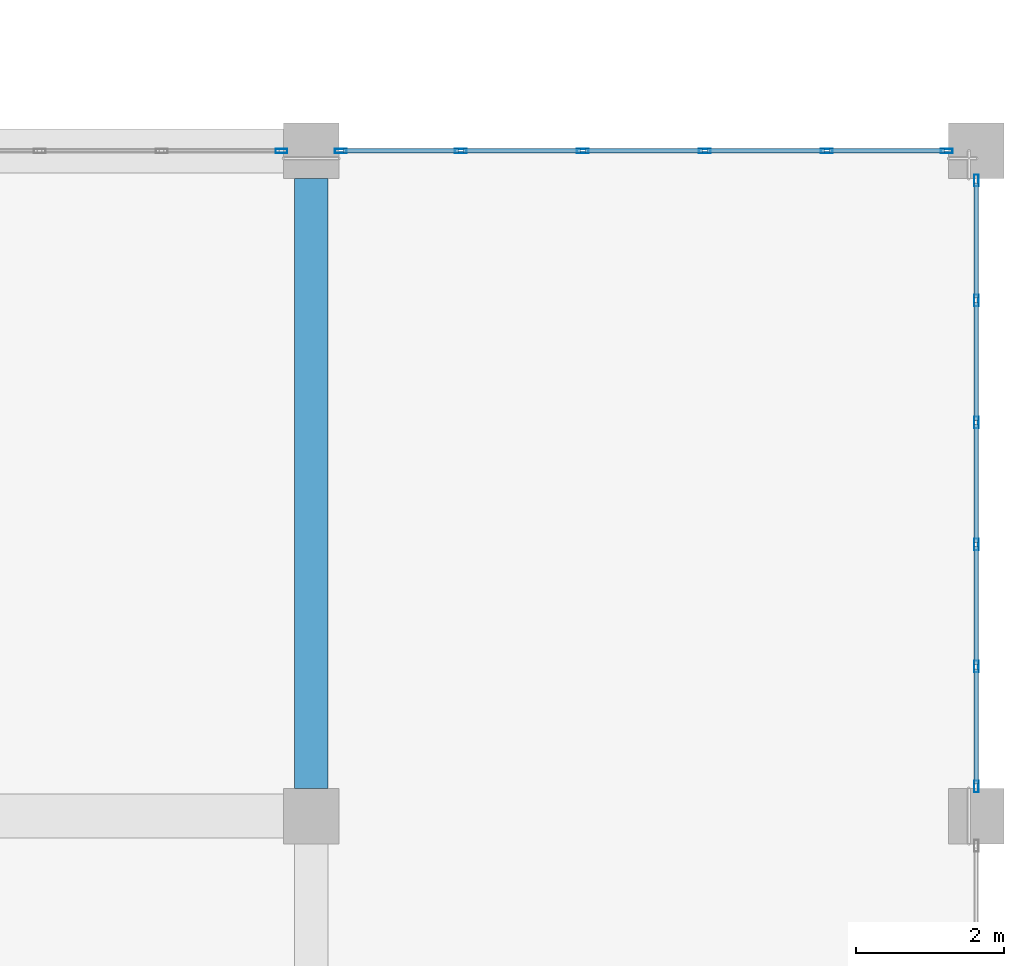
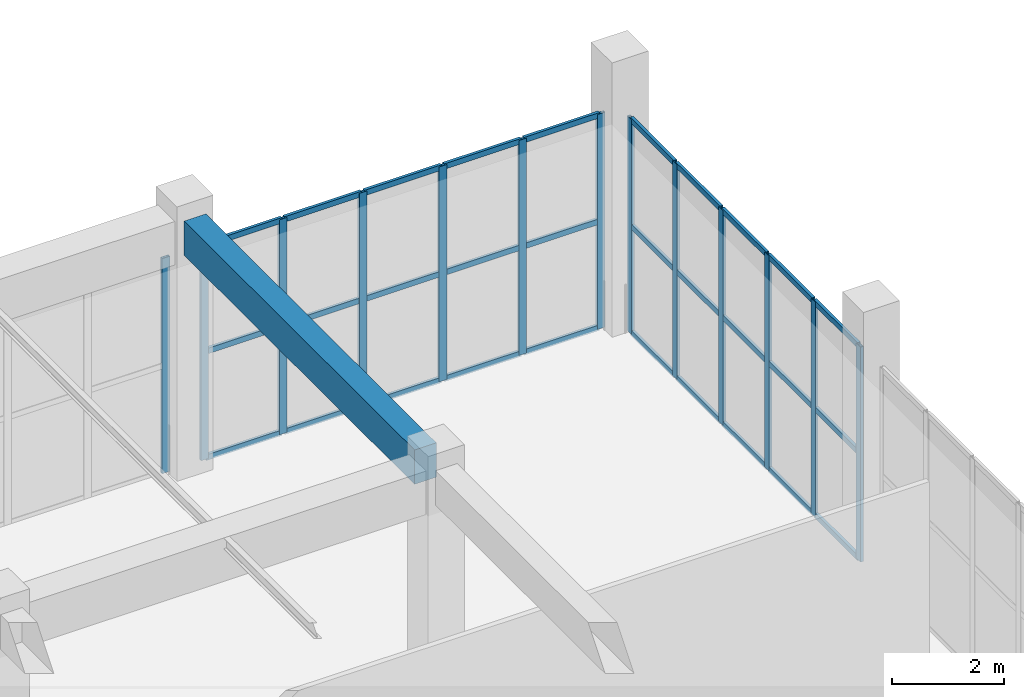
# One storey, part 78 of 223: 43 members, 1 beam, 3 elements without a shape of their own.
"""IFC4 building model written with IfcOpenShell, lengths in metres."""

import ifcopenshell
import ifcopenshell.guid

model = None  # the IFC model being written
_history = None  # IfcOwnerHistory: only IFC2X3 demands one
_inside = {}  # id of a spatial element -> (the spatial element, [elements in it])
_under = {}  # id of a project, library or spatial element -> (it, [spatial elements below it])
_declared = {}  # id of a project -> (the project, [libraries it declares])
_typed = {}  # id of a type object -> (the type object, [elements of that type])
_made_of = {}  # id of a material, layer set ... -> (it, [elements and type objects made of it])


def new_model(schema):
    """Start an empty IFC model of exactly this schema.

    Asked for "IFC4X3", IfcOpenShell would pick the latest addendum, in which some entities
    have other attributes; the version numbers below select the first issue.
    IFC2X3 requires an IfcOwnerHistory on every rooted entity: one is made here for all.
    """
    global model, _history
    if schema == "IFC4X3":
        model = ifcopenshell.file(schema_version=(4, 3, 0, 0))
    else:
        model = ifcopenshell.file(schema=schema)
    _inside.clear()
    _under.clear()
    _declared.clear()
    _typed.clear()
    _made_of.clear()
    _history = None
    if model.schema == "IFC2X3":
        org = make("IfcOrganization", Name="unknown")
        user = make(
            "IfcPersonAndOrganization",
            ThePerson=make("IfcPerson", FamilyName="unknown"),
            TheOrganization=org,
        )
        app = make(
            "IfcApplication",
            ApplicationDeveloper=org,
            Version="unknown",
            ApplicationFullName="unknown",
            ApplicationIdentifier="unknown",
        )
        _history = make(
            "IfcOwnerHistory",
            OwningUser=user,
            OwningApplication=app,
            ChangeAction="ADDED",
            CreationDate=0,
        )
    return model


def make(cls, **values):
    """One entity of the class cls with the attributes given. An attribute that is None is left unset."""
    return model.create_entity(
        cls, **{name: value for name, value in values.items() if value is not None}
    )


def rooted(cls, **values):
    """An entity with a GlobalId (a new one), such as an element, a storey or a relation."""
    return make(cls, GlobalId=ifcopenshell.guid.new(), OwnerHistory=_history, **values)


def si_unit(unit_type, name, prefix=None):
    """IfcSIUnit, for example si_unit("LENGTHUNIT", "METRE", prefix="MILLI")."""
    return make("IfcSIUnit", UnitType=unit_type, Prefix=prefix, Name=name)


def assignment(units):
    """IfcUnitAssignment: the units of a project."""
    return None if units is None else make("IfcUnitAssignment", Units=units)


def point(xyz):
    """IfcCartesianPoint."""
    return None if xyz is None else make("IfcCartesianPoint", Coordinates=xyz)


def direction(xyz):
    """IfcDirection."""
    return None if xyz is None else make("IfcDirection", DirectionRatios=xyz)


def frame(location, z_axis=None, x_axis=None):
    """IfcAxis2Placement3D, a coordinate frame: its origin and axes. An axis left out is left unset."""
    return make(
        "IfcAxis2Placement3D",
        Location=point(location),
        Axis=direction(z_axis),
        RefDirection=direction(x_axis),
    )


def frame_2d(location, x_axis=None):
    """IfcAxis2Placement2D, a coordinate frame in the plane: its origin and x axis."""
    return make(
        "IfcAxis2Placement2D", Location=point(location), RefDirection=direction(x_axis)
    )


def origin():
    """The frame at (0, 0, 0) with its axes left unset."""
    return frame((0.0, 0.0, 0.0))


def origin_2d():
    """The frame at (0, 0) in the plane with its x axis left unset."""
    return frame_2d((0.0, 0.0))


def place(relative_to, where):
    """IfcLocalPlacement: puts the frame where relative to a parent placement (None: the world)."""
    return make(
        "IfcLocalPlacement", PlacementRelTo=relative_to, RelativePlacement=where
    )


def context(
    kind, dimensions, precision=None, world=None, true_north=None, identifier=None
):
    """IfcGeometricRepresentationContext, for example the 3D "Model" context."""
    return make(
        "IfcGeometricRepresentationContext",
        ContextIdentifier=identifier,
        ContextType=kind,
        CoordinateSpaceDimension=dimensions,
        Precision=precision,
        WorldCoordinateSystem=world,
        TrueNorth=true_north,
    )


def subcontext(parent, identifier, kind, view, scale=None):
    """IfcGeometricRepresentationSubContext, for example "Body" below "Model"."""
    return make(
        "IfcGeometricRepresentationSubContext",
        ContextIdentifier=identifier,
        ContextType=kind,
        ParentContext=parent,
        TargetScale=scale,
        TargetView=view,
    )


def project(units=None, contexts=None):
    """IfcProject with its units and contexts."""
    return rooted(
        "IfcProject",
        Name="project",
        RepresentationContexts=contexts,
        UnitsInContext=assignment(units),
    )


def spatial(cls, under=None, at=None, **own):
    """A site, building, storey or space (cls), placed at a placement, below another one or the project."""
    s = rooted(cls, ObjectPlacement=at, **own)
    if under is not None:
        _under.setdefault(under.id(), (under, []))[1].append(s)
    return s


def profile(cls, at=None, kind="AREA", **sizes):
    """A parametric profile (cls). Its sizes go by their IFC names, for example OverallWidth=200.0."""
    return make(cls, ProfileType=kind, Position=at, **sizes)


def rectangle(**sizes):
    """IfcRectangleProfileDef."""
    return profile("IfcRectangleProfileDef", **sizes)


def hollow_rectangle(**sizes):
    """IfcRectangleHollowProfileDef."""
    return profile("IfcRectangleHollowProfileDef", **sizes)


def extrude(swept, where, along, depth):
    """IfcExtrudedAreaSolid: the profile swept, set in the frame where, extruded along a direction by depth."""
    return make(
        "IfcExtrudedAreaSolid",
        SweptArea=swept,
        Position=where,
        ExtrudedDirection=direction(along),
        Depth=depth,
    )


def shape(context_of_items, identifier, shape_type, items):
    """IfcShapeRepresentation: the items that make up one representation, for example the "Body"."""
    return make(
        "IfcShapeRepresentation",
        ContextOfItems=context_of_items,
        RepresentationIdentifier=identifier,
        RepresentationType=shape_type,
        Items=items,
    )


def material(Name=None, Category=None):
    """IfcMaterial."""
    return make("IfcMaterial", Name=Name, Category=Category)


def layer(
    of_material, thickness, ventilated=None, Name=None, Category=None, Priority=None
):
    """IfcMaterialLayer: one layer of a wall or slab, of a material (None: an air gap)."""
    return make(
        "IfcMaterialLayer",
        Material=of_material,
        LayerThickness=thickness,
        IsVentilated=ventilated,
        Name=Name,
        Category=Category,
        Priority=Priority,
    )


def layer_set(layers, Name=None):
    """IfcMaterialLayerSet."""
    return make("IfcMaterialLayerSet", MaterialLayers=layers, LayerSetName=Name)


def material_profile(
    of_material, cross_section, Name=None, Category=None, Priority=None
):
    """IfcMaterialProfile: a cross section and its material."""
    return make(
        "IfcMaterialProfile",
        Name=Name,
        Material=of_material,
        Profile=cross_section,
        Priority=Priority,
        Category=Category,
    )


def profile_set(profiles, Name=None, composite=None):
    """IfcMaterialProfileSet."""
    return make(
        "IfcMaterialProfileSet",
        Name=Name,
        MaterialProfiles=profiles,
        CompositeProfile=composite,
    )


def made_of(thing, what):
    """Note that an element or type object is made of a material, layer set ...; save() writes the relation."""
    if what is not None:
        _made_of.setdefault(what.id(), (what, []))[1].append(thing)
    return thing


def type_object(cls, material=None, **own):
    """A type object (cls), such as IfcWallType, which elements share."""
    return made_of(rooted(cls, **own), material)


def element(
    cls,
    number,
    at=None,
    inside=None,
    cuts=None,
    type_object=None,
    material=None,
    context=None,
    identifier="Body",
    shape_type=None,
    held_by="IfcProductDefinitionShape",
    body=None,
    shapes=None,
    **own,
):
    """One element of the class cls, such as IfcWall. Its Tag is "e" and its number.

    at: its placement. inside: the storey or other place that contains it. cuts: it is an
    opening in that element (IfcRelVoidsElement). A single representation is given by context,
    identifier, shape_type and body (its items); several are given by shapes. held_by: the class
    of the entity that holds the representations. save() writes the other relations.
    """
    e = rooted(cls, Tag="e%d" % number, ObjectPlacement=at, **own)
    if body is not None:
        shapes = [shape(context, identifier, shape_type, body)]
    if shapes is not None:
        e.Representation = make(held_by, Representations=shapes)
    if inside is not None:
        _inside.setdefault(inside.id(), (inside, []))[1].append(e)
    if cuts is not None:
        rooted(
            "IfcRelVoidsElement", RelatingBuildingElement=cuts, RelatedOpeningElement=e
        )
    if type_object is not None:
        _typed.setdefault(type_object.id(), (type_object, []))[1].append(e)
    return made_of(e, material)


def aggregate(whole, parts):
    """IfcRelAggregates: a whole, such as a stair, and the parts it consists of."""
    return rooted("IfcRelAggregates", RelatingObject=whole, RelatedObjects=parts)


def save(model, path):
    """Write the relations noted so far, then the file.

    IfcRelAggregates (storeys below a building ...), IfcRelContainedInSpatialStructure (elements
    in a storey), IfcRelDefinesByType, IfcRelAssociatesMaterial and IfcRelDeclares: one each for
    every whole, place, type object, material and project.
    """
    for whole, parts in _under.values():
        aggregate(whole, parts)
    for where, things in _inside.values():
        rooted(
            "IfcRelContainedInSpatialStructure",
            RelatedElements=things,
            RelatingStructure=where,
        )
    for kind, things in _typed.values():
        rooted("IfcRelDefinesByType", RelatedObjects=things, RelatingType=kind)
    for what, things in _made_of.values():
        rooted("IfcRelAssociatesMaterial", RelatedObjects=things, RelatingMaterial=what)
    for by, libraries in _declared.values():
        rooted("IfcRelDeclares", RelatingContext=by, RelatedDefinitions=libraries)
    model.write(path)


model = new_model("IFC4")

# Units and contexts
model_context = context("Model", 3, precision=1e-05, world=origin(), true_north=direction((0.0, 1.0)))
body_context = subcontext(model_context, "Body", "Model", "MODEL_VIEW")
ifc_project = project(units=[si_unit("LENGTHUNIT", "METRE"), si_unit("AREAUNIT", "SQUARE_METRE"), si_unit("VOLUMEUNIT", "CUBIC_METRE"), si_unit("PLANEANGLEUNIT", "RADIAN"), si_unit("MASSUNIT", "GRAM", prefix="KILO")], contexts=[model_context])

# Site, building, storey
site_placement = place(None, origin())
site = spatial("IfcSite", under=ifc_project, at=site_placement, CompositionType="ELEMENT")
building_placement = place(site_placement, origin())
building = spatial("IfcBuilding", under=site, at=building_placement, Name="Dornveld Trade and Exhibition Forum", CompositionType="ELEMENT")
storey_placement = place(building_placement, frame((0.0, 0.0, 6.0)))
storey = spatial("IfcBuildingStorey", under=building, at=storey_placement, Name="L01", CompositionType="ELEMENT", Elevation=6.0)

# Beam
ifc_material_1 = material(Name="Precast concrete C50/60", Category="concrete")
ifc_material_profile_1 = material_profile(ifc_material_1, rectangle(XDim=0.449951171875, YDim=0.75, at=origin_2d()), Name="PC-BM 450x750")
ifc_profile_set_1 = profile_set([ifc_material_profile_1], Name="Precast concrete C50/60")
beam_type = type_object("IfcBeamType", Name="BM-PC-450x750", PredefinedType="BEAM", material=ifc_profile_set_1)
beam_placement = place(storey_placement, frame((225.0, 45.37109375, 5.264892578125), z_axis=(0.0, 1.0, 0.0), x_axis=(-1.0, 0.0, 0.0)))
element("IfcBeam", 1, at=beam_placement, inside=storey, type_object=beam_type, Name="L01 Y-girder 1318", PredefinedType="BEAM", context=body_context, shape_type="SweptSolid", body=[
    extrude(rectangle(XDim=0.449951171875, YDim=0.75, at=origin_2d()), origin(), (0.0, 0.0, 1.0), 8.2578125),
])

# Curtain wall, members
ifc_material_2 = material(Name="Dark-bronze anodised aluminium and low-E glass", Category="aluminium")
ifc_layer_1 = layer(ifc_material_2, 0.15087890625)
ifc_layer_set_1 = layer_set([ifc_layer_1], Name="Dark-bronze anodised aluminium and low-E glass")
curtain_wall_type_1 = type_object("IfcCurtainWallType", Name="CW-SYS-03", PredefinedType="USERDEFINED", material=ifc_layer_set_1)
curtain_wall_1_placement = place(storey_placement, origin())
curtain_wall_1 = element("IfcCurtainWall", 2, at=curtain_wall_1_placement, inside=storey, type_object=curtain_wall_type_1, Name="L01 unitised curtain wall 75", ObjectType="UNITISED_CURTAIN_WALL", PredefinedType="USERDEFINED")
ifc_material_3 = material(Name="Dark-bronze anodised aluminium", Category="aluminium")
ifc_material_profile_2 = material_profile(ifc_material_3, hollow_rectangle(XDim=0.06005859375, YDim=0.159912109375, WallThickness=0.00390625, at=origin_2d()), Name="RHS 160x60x4")
ifc_profile_set_2 = profile_set([ifc_material_profile_2], Name="Dark-bronze anodised aluminium")
member_type_1 = type_object("IfcMemberType", Name="CW-MUL-160", PredefinedType="MULLION", material=ifc_profile_set_2)
member_1_placement = place(storey_placement, frame((234.0, 45.40087890625, -0.00390625), z_axis=(0.0, 0.0, 1.0), x_axis=(-1.0, 0.0, 0.0)))
member_1 = element("IfcMember", 3, at=member_1_placement, type_object=member_type_1, Name="CW-03 mullion 1", PredefinedType="MULLION", context=body_context, shape_type="SweptSolid", body=[
    extrude(hollow_rectangle(XDim=0.06005859375, YDim=0.159912109375, WallThickness=0.00390625, at=origin_2d()), origin(), (0.0, 0.0, 1.0), 4.703857421875),
])
member_2_placement = place(storey_placement, frame((234.0, 47.022705078125, -0.00390625), z_axis=(0.0, 0.0, 1.0), x_axis=(-1.0, 0.0, 0.0)))
member_2 = element("IfcMember", 4, at=member_2_placement, type_object=member_type_1, Name="CW-03 mullion 2", PredefinedType="MULLION", context=body_context, shape_type="SweptSolid", body=[
    extrude(hollow_rectangle(XDim=0.06005859375, YDim=0.159912109375, WallThickness=0.00390625, at=origin_2d()), origin(), (0.0, 0.0, 1.0), 4.703857421875),
])
member_3_placement = place(storey_placement, frame((234.0, 48.67431640625, -0.00390625), z_axis=(0.0, 0.0, 1.0), x_axis=(-1.0, 0.0, 0.0)))
member_3 = element("IfcMember", 5, at=member_3_placement, type_object=member_type_1, Name="CW-03 mullion 3", PredefinedType="MULLION", context=body_context, shape_type="SweptSolid", body=[
    extrude(hollow_rectangle(XDim=0.06005859375, YDim=0.159912109375, WallThickness=0.00390625, at=origin_2d()), origin(), (0.0, 0.0, 1.0), 4.703857421875),
])
member_4_placement = place(storey_placement, frame((234.0, 50.32568359375, -0.00390625), z_axis=(0.0, 0.0, 1.0), x_axis=(-1.0, 0.0, 0.0)))
member_4 = element("IfcMember", 6, at=member_4_placement, type_object=member_type_1, Name="CW-03 mullion 4", PredefinedType="MULLION", context=body_context, shape_type="SweptSolid", body=[
    extrude(hollow_rectangle(XDim=0.06005859375, YDim=0.159912109375, WallThickness=0.00390625, at=origin_2d()), origin(), (0.0, 0.0, 1.0), 4.703857421875),
])
member_5_placement = place(storey_placement, frame((234.0, 51.977294921875, -0.00390625), z_axis=(0.0, 0.0, 1.0), x_axis=(-1.0, 0.0, 0.0)))
member_5 = element("IfcMember", 7, at=member_5_placement, type_object=member_type_1, Name="CW-03 mullion 5", PredefinedType="MULLION", context=body_context, shape_type="SweptSolid", body=[
    extrude(hollow_rectangle(XDim=0.06005859375, YDim=0.159912109375, WallThickness=0.00390625, at=origin_2d()), origin(), (0.0, 0.0, 1.0), 4.703857421875),
])
member_6_placement = place(storey_placement, frame((234.0, 53.59912109375, -0.00390625), z_axis=(0.0, 0.0, 1.0), x_axis=(-1.0, 0.0, 0.0)))
member_6 = element("IfcMember", 8, at=member_6_placement, type_object=member_type_1, Name="CW-03 mullion 6", PredefinedType="MULLION", context=body_context, shape_type="SweptSolid", body=[
    extrude(hollow_rectangle(XDim=0.06005859375, YDim=0.159912109375, WallThickness=0.00390625, at=origin_2d()), origin(), (0.0, 0.0, 1.0), 4.703857421875),
])

# Curtain wall, member
ifc_material_4 = material(Name="Dark-bronze anodised aluminium and low-E glass", Category="aluminium")
ifc_layer_2 = layer(ifc_material_4, 0.193115234375)
ifc_layer_set_2 = layer_set([ifc_layer_2], Name="Dark-bronze anodised aluminium and low-E glass")
curtain_wall_type_2 = type_object("IfcCurtainWallType", Name="CW-SYS-17", PredefinedType="USERDEFINED", material=ifc_layer_set_2)
curtain_wall_2_placement = place(storey_placement, origin())
curtain_wall_2 = element("IfcCurtainWall", 9, at=curtain_wall_2_placement, inside=storey, type_object=curtain_wall_type_2, Name="L01 unitised curtain wall 89", ObjectType="UNITISED_CURTAIN_WALL", PredefinedType="USERDEFINED")
member_7_placement = place(storey_placement, frame((224.59912109375, 54.0, -0.00390625), z_axis=(0.0, 0.0, 1.0), x_axis=(0.0, -1.0, 0.0)))
member_7 = element("IfcMember", 10, at=member_7_placement, type_object=member_type_1, Name="CW-17 mullion 1", PredefinedType="MULLION", context=body_context, shape_type="SweptSolid", body=[
    extrude(hollow_rectangle(XDim=0.06005859375, YDim=0.159912109375, WallThickness=0.00390625, at=origin_2d()), origin(), (0.0, 0.0, 1.0), 4.703857421875),
])
aggregate(curtain_wall_2, [member_7])

# Curtain wall, members
ifc_material_5 = material(Name="Dark-bronze anodised aluminium and low-E glass", Category="aluminium")
ifc_layer_3 = layer(ifc_material_5, 0.196044921875)
ifc_layer_set_3 = layer_set([ifc_layer_3], Name="Dark-bronze anodised aluminium and low-E glass")
curtain_wall_type_3 = type_object("IfcCurtainWallType", Name="CW-SYS-18", PredefinedType="USERDEFINED", material=ifc_layer_set_3)
curtain_wall_3_placement = place(storey_placement, origin())
curtain_wall_3 = element("IfcCurtainWall", 11, at=curtain_wall_3_placement, inside=storey, type_object=curtain_wall_type_3, Name="L01 unitised curtain wall 90", ObjectType="UNITISED_CURTAIN_WALL", PredefinedType="USERDEFINED")
member_8_placement = place(storey_placement, frame((233.59912109375, 54.0, -0.00390625), z_axis=(0.0, 0.0, 1.0), x_axis=(0.0, -1.0, 0.0)))
member_8 = element("IfcMember", 12, at=member_8_placement, type_object=member_type_1, Name="CW-18 mullion 1", PredefinedType="MULLION", context=body_context, shape_type="SweptSolid", body=[
    extrude(hollow_rectangle(XDim=0.06005859375, YDim=0.159912109375, WallThickness=0.00390625, at=origin_2d()), origin(), (0.0, 0.0, 1.0), 4.703857421875),
])
member_9_placement = place(storey_placement, frame((231.977294921875, 54.0, -0.00390625), z_axis=(0.0, 0.0, 1.0), x_axis=(0.0, -1.0, 0.0)))
member_9 = element("IfcMember", 13, at=member_9_placement, type_object=member_type_1, Name="CW-18 mullion 2", PredefinedType="MULLION", context=body_context, shape_type="SweptSolid", body=[
    extrude(hollow_rectangle(XDim=0.06005859375, YDim=0.159912109375, WallThickness=0.00390625, at=origin_2d()), origin(), (0.0, 0.0, 1.0), 4.703857421875),
])
member_10_placement = place(storey_placement, frame((230.32568359375, 54.0, -0.00390625), z_axis=(0.0, 0.0, 1.0), x_axis=(0.0, -1.0, 0.0)))
member_10 = element("IfcMember", 14, at=member_10_placement, type_object=member_type_1, Name="CW-18 mullion 3", PredefinedType="MULLION", context=body_context, shape_type="SweptSolid", body=[
    extrude(hollow_rectangle(XDim=0.06005859375, YDim=0.159912109375, WallThickness=0.00390625, at=origin_2d()), origin(), (0.0, 0.0, 1.0), 4.703857421875),
])
member_11_placement = place(storey_placement, frame((228.67431640625, 54.0, -0.00390625), z_axis=(0.0, 0.0, 1.0), x_axis=(0.0, -1.0, 0.0)))
member_11 = element("IfcMember", 15, at=member_11_placement, type_object=member_type_1, Name="CW-18 mullion 4", PredefinedType="MULLION", context=body_context, shape_type="SweptSolid", body=[
    extrude(hollow_rectangle(XDim=0.06005859375, YDim=0.159912109375, WallThickness=0.00390625, at=origin_2d()), origin(), (0.0, 0.0, 1.0), 4.703857421875),
])
member_12_placement = place(storey_placement, frame((227.022705078125, 54.0, -0.00390625), z_axis=(0.0, 0.0, 1.0), x_axis=(0.0, -1.0, 0.0)))
member_12 = element("IfcMember", 16, at=member_12_placement, type_object=member_type_1, Name="CW-18 mullion 5", PredefinedType="MULLION", context=body_context, shape_type="SweptSolid", body=[
    extrude(hollow_rectangle(XDim=0.06005859375, YDim=0.159912109375, WallThickness=0.00390625, at=origin_2d()), origin(), (0.0, 0.0, 1.0), 4.703857421875),
])
member_13_placement = place(storey_placement, frame((225.40087890625, 54.0, -0.00390625), z_axis=(0.0, 0.0, 1.0), x_axis=(0.0, -1.0, 0.0)))
member_13 = element("IfcMember", 17, at=member_13_placement, type_object=member_type_1, Name="CW-18 mullion 6", PredefinedType="MULLION", context=body_context, shape_type="SweptSolid", body=[
    extrude(hollow_rectangle(XDim=0.06005859375, YDim=0.159912109375, WallThickness=0.00390625, at=origin_2d()), origin(), (0.0, 0.0, 1.0), 4.703857421875),
])

# Member
ifc_material_6 = material(Name="Dark-bronze anodised aluminium", Category="aluminium")
ifc_material_profile_3 = material_profile(ifc_material_6, hollow_rectangle(XDim=0.06005859375, YDim=0.1201171875, WallThickness=0.00390625, at=origin_2d()), Name="RHS 120x60x4")
ifc_profile_set_3 = profile_set([ifc_material_profile_3], Name="Dark-bronze anodised aluminium")
member_type_2 = type_object("IfcMemberType", Name="CW-TRN-120", PredefinedType="USERDEFINED", material=ifc_profile_set_3)
member_14_placement = place(storey_placement, frame((234.0, 45.430908203125, 0.02587890625), z_axis=(0.0, 1.0, 0.0), x_axis=(-1.0, 0.0, 0.0)))
member_14 = element("IfcMember", 18, at=member_14_placement, type_object=member_type_2, Name="CW-03 transom 1.1", ObjectType="TRANSOM", PredefinedType="USERDEFINED", context=body_context, shape_type="SweptSolid", body=[
    extrude(hollow_rectangle(XDim=0.06005859375, YDim=0.1201171875, WallThickness=0.00390625, at=origin_2d()), origin(), (0.0, 0.0, 1.0), 1.561767578125),
])

member_15_placement = place(storey_placement, frame((234.0, 45.430908203125, 2.347900390625), z_axis=(0.0, 1.0, 0.0), x_axis=(-1.0, 0.0, 0.0)))
member_15 = element("IfcMember", 19, at=member_15_placement, type_object=member_type_2, Name="CW-03 transom 1.2", ObjectType="TRANSOM", PredefinedType="USERDEFINED", context=body_context, shape_type="SweptSolid", body=[
    extrude(hollow_rectangle(XDim=0.06005859375, YDim=0.1201171875, WallThickness=0.00390625, at=origin_2d()), origin(), (0.0, 0.0, 1.0), 1.561767578125),
])

member_16_placement = place(storey_placement, frame((234.0, 45.430908203125, 4.669921875), z_axis=(0.0, 1.0, 0.0), x_axis=(-1.0, 0.0, 0.0)))
member_16 = element("IfcMember", 20, at=member_16_placement, type_object=member_type_2, Name="CW-03 transom 1.3", ObjectType="TRANSOM", PredefinedType="USERDEFINED", context=body_context, shape_type="SweptSolid", body=[
    extrude(hollow_rectangle(XDim=0.06005859375, YDim=0.1201171875, WallThickness=0.00390625, at=origin_2d()), origin(), (0.0, 0.0, 1.0), 1.561767578125),
])

member_17_placement = place(storey_placement, frame((234.0, 47.052490234375, 0.02587890625), z_axis=(0.0, 1.0, 0.0), x_axis=(-1.0, 0.0, 0.0)))
member_17 = element("IfcMember", 21, at=member_17_placement, type_object=member_type_2, Name="CW-03 transom 2.1", ObjectType="TRANSOM", PredefinedType="USERDEFINED", context=body_context, shape_type="SweptSolid", body=[
    extrude(hollow_rectangle(XDim=0.06005859375, YDim=0.1201171875, WallThickness=0.00390625, at=origin_2d()), origin(), (0.0, 0.0, 1.0), 1.591796875),
])

member_18_placement = place(storey_placement, frame((234.0, 47.052490234375, 2.347900390625), z_axis=(0.0, 1.0, 0.0), x_axis=(-1.0, 0.0, 0.0)))
member_18 = element("IfcMember", 22, at=member_18_placement, type_object=member_type_2, Name="CW-03 transom 2.2", ObjectType="TRANSOM", PredefinedType="USERDEFINED", context=body_context, shape_type="SweptSolid", body=[
    extrude(hollow_rectangle(XDim=0.06005859375, YDim=0.1201171875, WallThickness=0.00390625, at=origin_2d()), origin(), (0.0, 0.0, 1.0), 1.591796875),
])

member_19_placement = place(storey_placement, frame((234.0, 47.052490234375, 4.669921875), z_axis=(0.0, 1.0, 0.0), x_axis=(-1.0, 0.0, 0.0)))
member_19 = element("IfcMember", 23, at=member_19_placement, type_object=member_type_2, Name="CW-03 transom 2.3", ObjectType="TRANSOM", PredefinedType="USERDEFINED", context=body_context, shape_type="SweptSolid", body=[
    extrude(hollow_rectangle(XDim=0.06005859375, YDim=0.1201171875, WallThickness=0.00390625, at=origin_2d()), origin(), (0.0, 0.0, 1.0), 1.591796875),
])

member_20_placement = place(storey_placement, frame((234.0, 48.7041015625, 0.02587890625), z_axis=(0.0, 1.0, 0.0), x_axis=(-1.0, 0.0, 0.0)))
member_20 = element("IfcMember", 24, at=member_20_placement, type_object=member_type_2, Name="CW-03 transom 3.1", ObjectType="TRANSOM", PredefinedType="USERDEFINED", context=body_context, shape_type="SweptSolid", body=[
    extrude(hollow_rectangle(XDim=0.06005859375, YDim=0.1201171875, WallThickness=0.00390625, at=origin_2d()), origin(), (0.0, 0.0, 1.0), 1.591796875),
])

member_21_placement = place(storey_placement, frame((234.0, 48.7041015625, 2.347900390625), z_axis=(0.0, 1.0, 0.0), x_axis=(-1.0, 0.0, 0.0)))
member_21 = element("IfcMember", 25, at=member_21_placement, type_object=member_type_2, Name="CW-03 transom 3.2", ObjectType="TRANSOM", PredefinedType="USERDEFINED", context=body_context, shape_type="SweptSolid", body=[
    extrude(hollow_rectangle(XDim=0.06005859375, YDim=0.1201171875, WallThickness=0.00390625, at=origin_2d()), origin(), (0.0, 0.0, 1.0), 1.591796875),
])

member_22_placement = place(storey_placement, frame((234.0, 48.7041015625, 4.669921875), z_axis=(0.0, 1.0, 0.0), x_axis=(-1.0, 0.0, 0.0)))
member_22 = element("IfcMember", 26, at=member_22_placement, type_object=member_type_2, Name="CW-03 transom 3.3", ObjectType="TRANSOM", PredefinedType="USERDEFINED", context=body_context, shape_type="SweptSolid", body=[
    extrude(hollow_rectangle(XDim=0.06005859375, YDim=0.1201171875, WallThickness=0.00390625, at=origin_2d()), origin(), (0.0, 0.0, 1.0), 1.591796875),
])

member_23_placement = place(storey_placement, frame((234.0, 50.355712890625, 0.02587890625), z_axis=(0.0, 1.0, 0.0), x_axis=(-1.0, 0.0, 0.0)))
member_23 = element("IfcMember", 27, at=member_23_placement, type_object=member_type_2, Name="CW-03 transom 4.1", ObjectType="TRANSOM", PredefinedType="USERDEFINED", context=body_context, shape_type="SweptSolid", body=[
    extrude(hollow_rectangle(XDim=0.06005859375, YDim=0.1201171875, WallThickness=0.00390625, at=origin_2d()), origin(), (0.0, 0.0, 1.0), 1.591796875),
])

member_24_placement = place(storey_placement, frame((234.0, 50.355712890625, 2.347900390625), z_axis=(0.0, 1.0, 0.0), x_axis=(-1.0, 0.0, 0.0)))
member_24 = element("IfcMember", 28, at=member_24_placement, type_object=member_type_2, Name="CW-03 transom 4.2", ObjectType="TRANSOM", PredefinedType="USERDEFINED", context=body_context, shape_type="SweptSolid", body=[
    extrude(hollow_rectangle(XDim=0.06005859375, YDim=0.1201171875, WallThickness=0.00390625, at=origin_2d()), origin(), (0.0, 0.0, 1.0), 1.591796875),
])

member_25_placement = place(storey_placement, frame((234.0, 50.355712890625, 4.669921875), z_axis=(0.0, 1.0, 0.0), x_axis=(-1.0, 0.0, 0.0)))
member_25 = element("IfcMember", 29, at=member_25_placement, type_object=member_type_2, Name="CW-03 transom 4.3", ObjectType="TRANSOM", PredefinedType="USERDEFINED", context=body_context, shape_type="SweptSolid", body=[
    extrude(hollow_rectangle(XDim=0.06005859375, YDim=0.1201171875, WallThickness=0.00390625, at=origin_2d()), origin(), (0.0, 0.0, 1.0), 1.591796875),
])

member_26_placement = place(storey_placement, frame((234.0, 52.00732421875, 0.02587890625), z_axis=(0.0, 1.0, 0.0), x_axis=(-1.0, 0.0, 0.0)))
member_26 = element("IfcMember", 30, at=member_26_placement, type_object=member_type_2, Name="CW-03 transom 5.1", ObjectType="TRANSOM", PredefinedType="USERDEFINED", context=body_context, shape_type="SweptSolid", body=[
    extrude(hollow_rectangle(XDim=0.06005859375, YDim=0.1201171875, WallThickness=0.00390625, at=origin_2d()), origin(), (0.0, 0.0, 1.0), 1.561767578125),
])

member_27_placement = place(storey_placement, frame((234.0, 52.00732421875, 2.347900390625), z_axis=(0.0, 1.0, 0.0), x_axis=(-1.0, 0.0, 0.0)))
member_27 = element("IfcMember", 31, at=member_27_placement, type_object=member_type_2, Name="CW-03 transom 5.2", ObjectType="TRANSOM", PredefinedType="USERDEFINED", context=body_context, shape_type="SweptSolid", body=[
    extrude(hollow_rectangle(XDim=0.06005859375, YDim=0.1201171875, WallThickness=0.00390625, at=origin_2d()), origin(), (0.0, 0.0, 1.0), 1.561767578125),
])

member_28_placement = place(storey_placement, frame((234.0, 52.00732421875, 4.669921875), z_axis=(0.0, 1.0, 0.0), x_axis=(-1.0, 0.0, 0.0)))
member_28 = element("IfcMember", 32, at=member_28_placement, type_object=member_type_2, Name="CW-03 transom 5.3", ObjectType="TRANSOM", PredefinedType="USERDEFINED", context=body_context, shape_type="SweptSolid", body=[
    extrude(hollow_rectangle(XDim=0.06005859375, YDim=0.1201171875, WallThickness=0.00390625, at=origin_2d()), origin(), (0.0, 0.0, 1.0), 1.561767578125),
])

aggregate(curtain_wall_1, [member_1, member_2, member_3, member_4, member_5, member_6, member_14, member_15, member_16, member_17, member_18, member_19, member_20, member_21, member_22, member_23, member_24, member_25, member_26, member_27, member_28])

member_29_placement = place(storey_placement, frame((233.569091796875, 54.0, 0.02587890625), z_axis=(-1.0, 0.0, 0.0), x_axis=(0.0, -1.0, 0.0)))
member_29 = element("IfcMember", 33, at=member_29_placement, type_object=member_type_2, Name="CW-18 transom 1.1", ObjectType="TRANSOM", PredefinedType="USERDEFINED", context=body_context, shape_type="SweptSolid", body=[
    extrude(hollow_rectangle(XDim=0.06005859375, YDim=0.1201171875, WallThickness=0.00390625, at=origin_2d()), origin(), (0.0, 0.0, 1.0), 1.561767578125),
])

member_30_placement = place(storey_placement, frame((233.569091796875, 54.0, 2.347900390625), z_axis=(-1.0, 0.0, 0.0), x_axis=(0.0, -1.0, 0.0)))
member_30 = element("IfcMember", 34, at=member_30_placement, type_object=member_type_2, Name="CW-18 transom 1.2", ObjectType="TRANSOM", PredefinedType="USERDEFINED", context=body_context, shape_type="SweptSolid", body=[
    extrude(hollow_rectangle(XDim=0.06005859375, YDim=0.1201171875, WallThickness=0.00390625, at=origin_2d()), origin(), (0.0, 0.0, 1.0), 1.561767578125),
])

member_31_placement = place(storey_placement, frame((233.569091796875, 54.0, 4.669921875), z_axis=(-1.0, 0.0, 0.0), x_axis=(0.0, -1.0, 0.0)))
member_31 = element("IfcMember", 35, at=member_31_placement, type_object=member_type_2, Name="CW-18 transom 1.3", ObjectType="TRANSOM", PredefinedType="USERDEFINED", context=body_context, shape_type="SweptSolid", body=[
    extrude(hollow_rectangle(XDim=0.06005859375, YDim=0.1201171875, WallThickness=0.00390625, at=origin_2d()), origin(), (0.0, 0.0, 1.0), 1.561767578125),
])

member_32_placement = place(storey_placement, frame((231.947509765625, 54.0, 0.02587890625), z_axis=(-1.0, 0.0, 0.0), x_axis=(0.0, -1.0, 0.0)))
member_32 = element("IfcMember", 36, at=member_32_placement, type_object=member_type_2, Name="CW-18 transom 2.1", ObjectType="TRANSOM", PredefinedType="USERDEFINED", context=body_context, shape_type="SweptSolid", body=[
    extrude(hollow_rectangle(XDim=0.06005859375, YDim=0.1201171875, WallThickness=0.00390625, at=origin_2d()), origin(), (0.0, 0.0, 1.0), 1.591796875),
])

member_33_placement = place(storey_placement, frame((231.947509765625, 54.0, 2.347900390625), z_axis=(-1.0, 0.0, 0.0), x_axis=(0.0, -1.0, 0.0)))
member_33 = element("IfcMember", 37, at=member_33_placement, type_object=member_type_2, Name="CW-18 transom 2.2", ObjectType="TRANSOM", PredefinedType="USERDEFINED", context=body_context, shape_type="SweptSolid", body=[
    extrude(hollow_rectangle(XDim=0.06005859375, YDim=0.1201171875, WallThickness=0.00390625, at=origin_2d()), origin(), (0.0, 0.0, 1.0), 1.591796875),
])

member_34_placement = place(storey_placement, frame((231.947509765625, 54.0, 4.669921875), z_axis=(-1.0, 0.0, 0.0), x_axis=(0.0, -1.0, 0.0)))
member_34 = element("IfcMember", 38, at=member_34_placement, type_object=member_type_2, Name="CW-18 transom 2.3", ObjectType="TRANSOM", PredefinedType="USERDEFINED", context=body_context, shape_type="SweptSolid", body=[
    extrude(hollow_rectangle(XDim=0.06005859375, YDim=0.1201171875, WallThickness=0.00390625, at=origin_2d()), origin(), (0.0, 0.0, 1.0), 1.591796875),
])

member_35_placement = place(storey_placement, frame((230.2958984375, 54.0, 0.02587890625), z_axis=(-1.0, 0.0, 0.0), x_axis=(0.0, -1.0, 0.0)))
member_35 = element("IfcMember", 39, at=member_35_placement, type_object=member_type_2, Name="CW-18 transom 3.1", ObjectType="TRANSOM", PredefinedType="USERDEFINED", context=body_context, shape_type="SweptSolid", body=[
    extrude(hollow_rectangle(XDim=0.06005859375, YDim=0.1201171875, WallThickness=0.00390625, at=origin_2d()), origin(), (0.0, 0.0, 1.0), 1.591796875),
])

member_36_placement = place(storey_placement, frame((230.2958984375, 54.0, 2.347900390625), z_axis=(-1.0, 0.0, 0.0), x_axis=(0.0, -1.0, 0.0)))
member_36 = element("IfcMember", 40, at=member_36_placement, type_object=member_type_2, Name="CW-18 transom 3.2", ObjectType="TRANSOM", PredefinedType="USERDEFINED", context=body_context, shape_type="SweptSolid", body=[
    extrude(hollow_rectangle(XDim=0.06005859375, YDim=0.1201171875, WallThickness=0.00390625, at=origin_2d()), origin(), (0.0, 0.0, 1.0), 1.591796875),
])

member_37_placement = place(storey_placement, frame((230.2958984375, 54.0, 4.669921875), z_axis=(-1.0, 0.0, 0.0), x_axis=(0.0, -1.0, 0.0)))
member_37 = element("IfcMember", 41, at=member_37_placement, type_object=member_type_2, Name="CW-18 transom 3.3", ObjectType="TRANSOM", PredefinedType="USERDEFINED", context=body_context, shape_type="SweptSolid", body=[
    extrude(hollow_rectangle(XDim=0.06005859375, YDim=0.1201171875, WallThickness=0.00390625, at=origin_2d()), origin(), (0.0, 0.0, 1.0), 1.591796875),
])

member_38_placement = place(storey_placement, frame((228.644287109375, 54.0, 0.02587890625), z_axis=(-1.0, 0.0, 0.0), x_axis=(0.0, -1.0, 0.0)))
member_38 = element("IfcMember", 42, at=member_38_placement, type_object=member_type_2, Name="CW-18 transom 4.1", ObjectType="TRANSOM", PredefinedType="USERDEFINED", context=body_context, shape_type="SweptSolid", body=[
    extrude(hollow_rectangle(XDim=0.06005859375, YDim=0.1201171875, WallThickness=0.00390625, at=origin_2d()), origin(), (0.0, 0.0, 1.0), 1.591796875),
])

member_39_placement = place(storey_placement, frame((228.644287109375, 54.0, 2.347900390625), z_axis=(-1.0, 0.0, 0.0), x_axis=(0.0, -1.0, 0.0)))
member_39 = element("IfcMember", 43, at=member_39_placement, type_object=member_type_2, Name="CW-18 transom 4.2", ObjectType="TRANSOM", PredefinedType="USERDEFINED", context=body_context, shape_type="SweptSolid", body=[
    extrude(hollow_rectangle(XDim=0.06005859375, YDim=0.1201171875, WallThickness=0.00390625, at=origin_2d()), origin(), (0.0, 0.0, 1.0), 1.591796875),
])

member_40_placement = place(storey_placement, frame((228.644287109375, 54.0, 4.669921875), z_axis=(-1.0, 0.0, 0.0), x_axis=(0.0, -1.0, 0.0)))
member_40 = element("IfcMember", 44, at=member_40_placement, type_object=member_type_2, Name="CW-18 transom 4.3", ObjectType="TRANSOM", PredefinedType="USERDEFINED", context=body_context, shape_type="SweptSolid", body=[
    extrude(hollow_rectangle(XDim=0.06005859375, YDim=0.1201171875, WallThickness=0.00390625, at=origin_2d()), origin(), (0.0, 0.0, 1.0), 1.591796875),
])

member_41_placement = place(storey_placement, frame((226.99267578125, 54.0, 0.02587890625), z_axis=(-1.0, 0.0, 0.0), x_axis=(0.0, -1.0, 0.0)))
member_41 = element("IfcMember", 45, at=member_41_placement, type_object=member_type_2, Name="CW-18 transom 5.1", ObjectType="TRANSOM", PredefinedType="USERDEFINED", context=body_context, shape_type="SweptSolid", body=[
    extrude(hollow_rectangle(XDim=0.06005859375, YDim=0.1201171875, WallThickness=0.00390625, at=origin_2d()), origin(), (0.0, 0.0, 1.0), 1.561767578125),
])

member_42_placement = place(storey_placement, frame((226.99267578125, 54.0, 2.347900390625), z_axis=(-1.0, 0.0, 0.0), x_axis=(0.0, -1.0, 0.0)))
member_42 = element("IfcMember", 46, at=member_42_placement, type_object=member_type_2, Name="CW-18 transom 5.2", ObjectType="TRANSOM", PredefinedType="USERDEFINED", context=body_context, shape_type="SweptSolid", body=[
    extrude(hollow_rectangle(XDim=0.06005859375, YDim=0.1201171875, WallThickness=0.00390625, at=origin_2d()), origin(), (0.0, 0.0, 1.0), 1.561767578125),
])

member_43_placement = place(storey_placement, frame((226.99267578125, 54.0, 4.669921875), z_axis=(-1.0, 0.0, 0.0), x_axis=(0.0, -1.0, 0.0)))
member_43 = element("IfcMember", 47, at=member_43_placement, type_object=member_type_2, Name="CW-18 transom 5.3", ObjectType="TRANSOM", PredefinedType="USERDEFINED", context=body_context, shape_type="SweptSolid", body=[
    extrude(hollow_rectangle(XDim=0.06005859375, YDim=0.1201171875, WallThickness=0.00390625, at=origin_2d()), origin(), (0.0, 0.0, 1.0), 1.561767578125),
])

aggregate(curtain_wall_3, [member_8, member_9, member_10, member_11, member_12, member_13, member_29, member_30, member_31, member_32, member_33, member_34, member_35, member_36, member_37, member_38, member_39, member_40, member_41, member_42, member_43])

save(model, "model.ifc")
